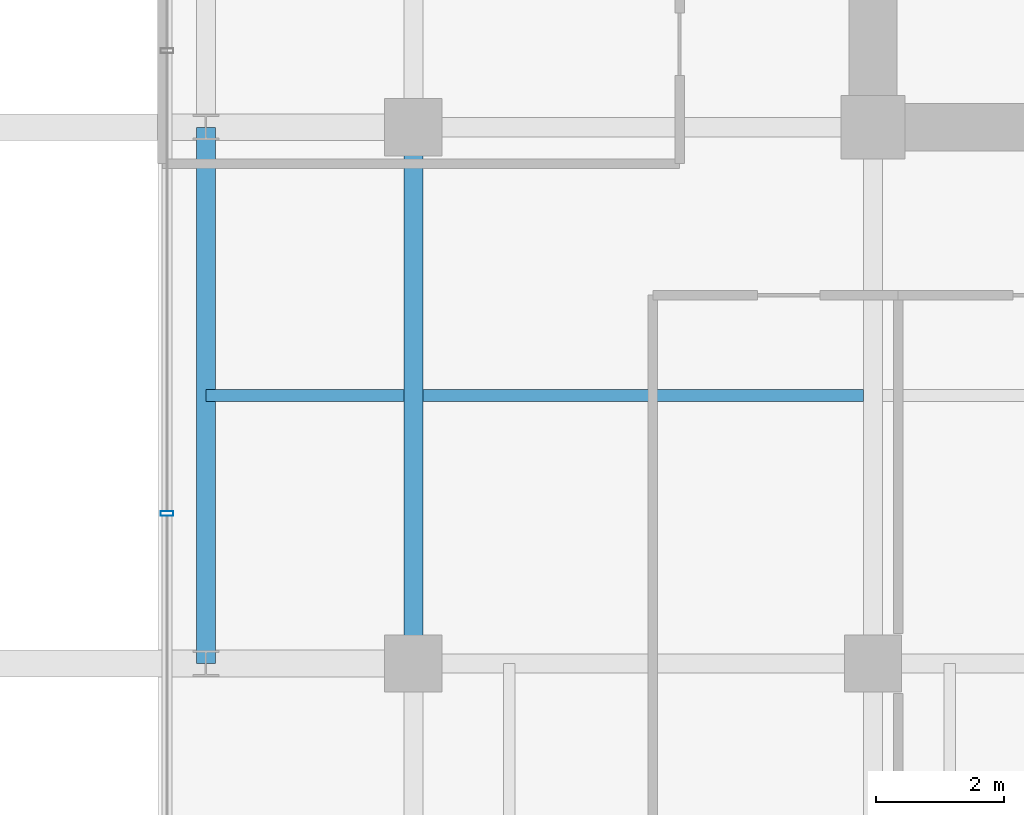
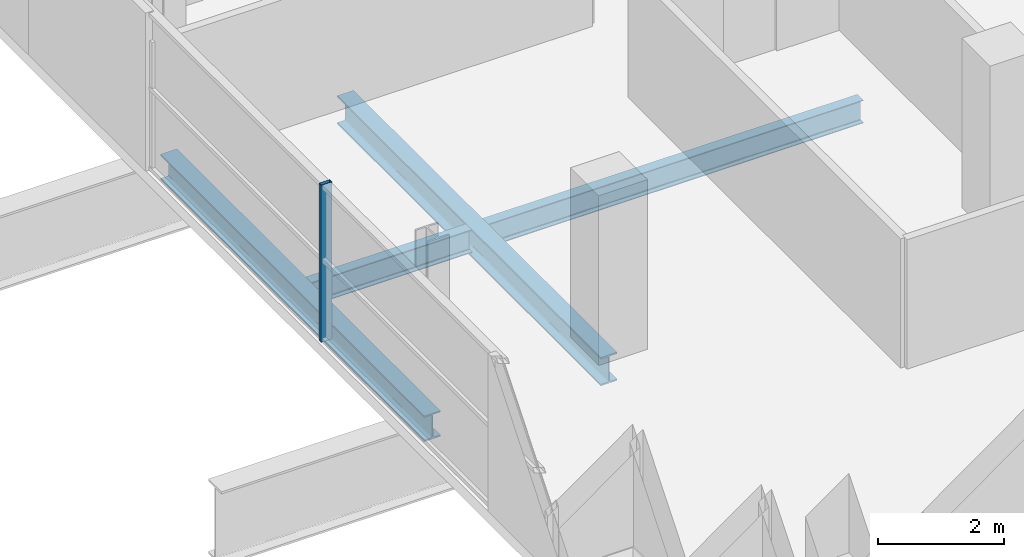
# One storey, part 4 of 27: 4 beams, 1 member, 1 element without a shape of its own.
"""IFC4 building model written with IfcOpenShell, lengths in metres."""

import ifcopenshell
import ifcopenshell.guid

model = None  # the IFC model being written
_history = None  # IfcOwnerHistory: only IFC2X3 demands one
_inside = {}  # id of a spatial element -> (the spatial element, [elements in it])
_under = {}  # id of a project, library or spatial element -> (it, [spatial elements below it])
_declared = {}  # id of a project -> (the project, [libraries it declares])
_typed = {}  # id of a type object -> (the type object, [elements of that type])
_made_of = {}  # id of a material, layer set ... -> (it, [elements and type objects made of it])


def new_model(schema):
    """Start an empty IFC model of exactly this schema.

    Asked for "IFC4X3", IfcOpenShell would pick the latest addendum, in which some entities
    have other attributes; the version numbers below select the first issue.
    IFC2X3 requires an IfcOwnerHistory on every rooted entity: one is made here for all.
    """
    global model, _history
    if schema == "IFC4X3":
        model = ifcopenshell.file(schema_version=(4, 3, 0, 0))
    else:
        model = ifcopenshell.file(schema=schema)
    _inside.clear()
    _under.clear()
    _declared.clear()
    _typed.clear()
    _made_of.clear()
    _history = None
    if model.schema == "IFC2X3":
        org = make("IfcOrganization", Name="unknown")
        user = make(
            "IfcPersonAndOrganization",
            ThePerson=make("IfcPerson", FamilyName="unknown"),
            TheOrganization=org,
        )
        app = make(
            "IfcApplication",
            ApplicationDeveloper=org,
            Version="unknown",
            ApplicationFullName="unknown",
            ApplicationIdentifier="unknown",
        )
        _history = make(
            "IfcOwnerHistory",
            OwningUser=user,
            OwningApplication=app,
            ChangeAction="ADDED",
            CreationDate=0,
        )
    return model


def make(cls, **values):
    """One entity of the class cls with the attributes given. An attribute that is None is left unset."""
    return model.create_entity(
        cls, **{name: value for name, value in values.items() if value is not None}
    )


def rooted(cls, **values):
    """An entity with a GlobalId (a new one), such as an element, a storey or a relation."""
    return make(cls, GlobalId=ifcopenshell.guid.new(), OwnerHistory=_history, **values)


def si_unit(unit_type, name, prefix=None):
    """IfcSIUnit, for example si_unit("LENGTHUNIT", "METRE", prefix="MILLI")."""
    return make("IfcSIUnit", UnitType=unit_type, Prefix=prefix, Name=name)


def assignment(units):
    """IfcUnitAssignment: the units of a project."""
    return None if units is None else make("IfcUnitAssignment", Units=units)


def point(xyz):
    """IfcCartesianPoint."""
    return None if xyz is None else make("IfcCartesianPoint", Coordinates=xyz)


def direction(xyz):
    """IfcDirection."""
    return None if xyz is None else make("IfcDirection", DirectionRatios=xyz)


def frame(location, z_axis=None, x_axis=None):
    """IfcAxis2Placement3D, a coordinate frame: its origin and axes. An axis left out is left unset."""
    return make(
        "IfcAxis2Placement3D",
        Location=point(location),
        Axis=direction(z_axis),
        RefDirection=direction(x_axis),
    )


def frame_2d(location, x_axis=None):
    """IfcAxis2Placement2D, a coordinate frame in the plane: its origin and x axis."""
    return make(
        "IfcAxis2Placement2D", Location=point(location), RefDirection=direction(x_axis)
    )


def origin():
    """The frame at (0, 0, 0) with its axes left unset."""
    return frame((0.0, 0.0, 0.0))


def origin_2d():
    """The frame at (0, 0) in the plane with its x axis left unset."""
    return frame_2d((0.0, 0.0))


def place(relative_to, where):
    """IfcLocalPlacement: puts the frame where relative to a parent placement (None: the world)."""
    return make(
        "IfcLocalPlacement", PlacementRelTo=relative_to, RelativePlacement=where
    )


def context(
    kind, dimensions, precision=None, world=None, true_north=None, identifier=None
):
    """IfcGeometricRepresentationContext, for example the 3D "Model" context."""
    return make(
        "IfcGeometricRepresentationContext",
        ContextIdentifier=identifier,
        ContextType=kind,
        CoordinateSpaceDimension=dimensions,
        Precision=precision,
        WorldCoordinateSystem=world,
        TrueNorth=true_north,
    )


def subcontext(parent, identifier, kind, view, scale=None):
    """IfcGeometricRepresentationSubContext, for example "Body" below "Model"."""
    return make(
        "IfcGeometricRepresentationSubContext",
        ContextIdentifier=identifier,
        ContextType=kind,
        ParentContext=parent,
        TargetScale=scale,
        TargetView=view,
    )


def project(units=None, contexts=None):
    """IfcProject with its units and contexts."""
    return rooted(
        "IfcProject",
        Name="project",
        RepresentationContexts=contexts,
        UnitsInContext=assignment(units),
    )


def spatial(cls, under=None, at=None, **own):
    """A site, building, storey or space (cls), placed at a placement, below another one or the project."""
    s = rooted(cls, ObjectPlacement=at, **own)
    if under is not None:
        _under.setdefault(under.id(), (under, []))[1].append(s)
    return s


def profile(cls, at=None, kind="AREA", **sizes):
    """A parametric profile (cls). Its sizes go by their IFC names, for example OverallWidth=200.0."""
    return make(cls, ProfileType=kind, Position=at, **sizes)


def hollow_rectangle(**sizes):
    """IfcRectangleHollowProfileDef."""
    return profile("IfcRectangleHollowProfileDef", **sizes)


def i_section(**sizes):
    """IfcIShapeProfileDef."""
    return profile("IfcIShapeProfileDef", **sizes)


def extrude(swept, where, along, depth):
    """IfcExtrudedAreaSolid: the profile swept, set in the frame where, extruded along a direction by depth."""
    return make(
        "IfcExtrudedAreaSolid",
        SweptArea=swept,
        Position=where,
        ExtrudedDirection=direction(along),
        Depth=depth,
    )


def shape(context_of_items, identifier, shape_type, items):
    """IfcShapeRepresentation: the items that make up one representation, for example the "Body"."""
    return make(
        "IfcShapeRepresentation",
        ContextOfItems=context_of_items,
        RepresentationIdentifier=identifier,
        RepresentationType=shape_type,
        Items=items,
    )


def source(mapping_origin, context_of_items, identifier, shape_type, items):
    """IfcRepresentationMap: a shape defined once, which mapped items show again and again."""
    return make(
        "IfcRepresentationMap",
        MappingOrigin=mapping_origin,
        MappedRepresentation=shape(context_of_items, identifier, shape_type, items),
    )


def transform(
    local_origin,
    x_axis=None,
    y_axis=None,
    z_axis=None,
    scale=None,
    scale2=None,
    scale3=None,
    uniform=True,
):
    """IfcCartesianTransformationOperator3D, or its non-uniform kind. x_axis, y_axis, z_axis: its Axis1, 2, 3."""
    if uniform:
        return make(
            "IfcCartesianTransformationOperator3D",
            Axis1=direction(x_axis),
            Axis2=direction(y_axis),
            LocalOrigin=point(local_origin),
            Scale=scale,
            Axis3=direction(z_axis),
        )
    return make(
        "IfcCartesianTransformationOperator3DnonUniform",
        Axis1=direction(x_axis),
        Axis2=direction(y_axis),
        LocalOrigin=point(local_origin),
        Scale=scale,
        Axis3=direction(z_axis),
        Scale2=scale2,
        Scale3=scale3,
    )


def mapped(mapping_source, mapping_target):
    """IfcMappedItem: shows the shape of a source again, moved by a transform."""
    return make(
        "IfcMappedItem", MappingSource=mapping_source, MappingTarget=mapping_target
    )


def material(Name=None, Category=None):
    """IfcMaterial."""
    return make("IfcMaterial", Name=Name, Category=Category)


def layer(
    of_material, thickness, ventilated=None, Name=None, Category=None, Priority=None
):
    """IfcMaterialLayer: one layer of a wall or slab, of a material (None: an air gap)."""
    return make(
        "IfcMaterialLayer",
        Material=of_material,
        LayerThickness=thickness,
        IsVentilated=ventilated,
        Name=Name,
        Category=Category,
        Priority=Priority,
    )


def layer_set(layers, Name=None):
    """IfcMaterialLayerSet."""
    return make("IfcMaterialLayerSet", MaterialLayers=layers, LayerSetName=Name)


def material_profile(
    of_material, cross_section, Name=None, Category=None, Priority=None
):
    """IfcMaterialProfile: a cross section and its material."""
    return make(
        "IfcMaterialProfile",
        Name=Name,
        Material=of_material,
        Profile=cross_section,
        Priority=Priority,
        Category=Category,
    )


def profile_set(profiles, Name=None, composite=None):
    """IfcMaterialProfileSet."""
    return make(
        "IfcMaterialProfileSet",
        Name=Name,
        MaterialProfiles=profiles,
        CompositeProfile=composite,
    )


def made_of(thing, what):
    """Note that an element or type object is made of a material, layer set ...; save() writes the relation."""
    if what is not None:
        _made_of.setdefault(what.id(), (what, []))[1].append(thing)
    return thing


def type_object(cls, material=None, **own):
    """A type object (cls), such as IfcWallType, which elements share."""
    return made_of(rooted(cls, **own), material)


def element(
    cls,
    number,
    at=None,
    inside=None,
    cuts=None,
    type_object=None,
    material=None,
    context=None,
    identifier="Body",
    shape_type=None,
    held_by="IfcProductDefinitionShape",
    body=None,
    shapes=None,
    **own,
):
    """One element of the class cls, such as IfcWall. Its Tag is "e" and its number.

    at: its placement. inside: the storey or other place that contains it. cuts: it is an
    opening in that element (IfcRelVoidsElement). A single representation is given by context,
    identifier, shape_type and body (its items); several are given by shapes. held_by: the class
    of the entity that holds the representations. save() writes the other relations.
    """
    e = rooted(cls, Tag="e%d" % number, ObjectPlacement=at, **own)
    if body is not None:
        shapes = [shape(context, identifier, shape_type, body)]
    if shapes is not None:
        e.Representation = make(held_by, Representations=shapes)
    if inside is not None:
        _inside.setdefault(inside.id(), (inside, []))[1].append(e)
    if cuts is not None:
        rooted(
            "IfcRelVoidsElement", RelatingBuildingElement=cuts, RelatedOpeningElement=e
        )
    if type_object is not None:
        _typed.setdefault(type_object.id(), (type_object, []))[1].append(e)
    return made_of(e, material)


def aggregate(whole, parts):
    """IfcRelAggregates: a whole, such as a stair, and the parts it consists of."""
    return rooted("IfcRelAggregates", RelatingObject=whole, RelatedObjects=parts)


def save(model, path):
    """Write the relations noted so far, then the file.

    IfcRelAggregates (storeys below a building ...), IfcRelContainedInSpatialStructure (elements
    in a storey), IfcRelDefinesByType, IfcRelAssociatesMaterial and IfcRelDeclares: one each for
    every whole, place, type object, material and project.
    """
    for whole, parts in _under.values():
        aggregate(whole, parts)
    for where, things in _inside.values():
        rooted(
            "IfcRelContainedInSpatialStructure",
            RelatedElements=things,
            RelatingStructure=where,
        )
    for kind, things in _typed.values():
        rooted("IfcRelDefinesByType", RelatedObjects=things, RelatingType=kind)
    for what, things in _made_of.values():
        rooted("IfcRelAssociatesMaterial", RelatedObjects=things, RelatingMaterial=what)
    for by, libraries in _declared.values():
        rooted("IfcRelDeclares", RelatingContext=by, RelatedDefinitions=libraries)
    model.write(path)


model = new_model("IFC4")

# Units and contexts
model_context = context("Model", 3, precision=1e-05, world=origin(), true_north=direction((0.0, 1.0)))
body_context = subcontext(model_context, "Body", "Model", "MODEL_VIEW")
ifc_project = project(units=[si_unit("LENGTHUNIT", "METRE"), si_unit("AREAUNIT", "SQUARE_METRE"), si_unit("VOLUMEUNIT", "CUBIC_METRE"), si_unit("PLANEANGLEUNIT", "RADIAN"), si_unit("MASSUNIT", "GRAM", prefix="KILO")], contexts=[model_context])

# Site, building, storey
site_placement = place(None, origin())
site = spatial("IfcSite", under=ifc_project, at=site_placement, CompositionType="ELEMENT")
building_placement = place(site_placement, origin())
building = spatial("IfcBuilding", under=site, at=building_placement, Name="Zarnakvel Exchange Tower", CompositionType="ELEMENT")
storey_placement = place(building_placement, frame((0.0, 0.0, 113.199951171875)))
storey = spatial("IfcBuildingStorey", under=building, at=storey_placement, Name="L31", CompositionType="ELEMENT", Elevation=113.199951171875)

# Beams
ifc_material_1 = material(Name="Steel S355", Category="steel")
ifc_material_profile_1 = material_profile(ifc_material_1, i_section(OverallWidth=0.18994140625, OverallDepth=0.449951171875, WebThickness=0.009521484375, FlangeThickness=0.0146484375, FilletRadius=0.02099609375, at=origin_2d()))
ifc_profile_set_1 = profile_set([ifc_material_profile_1], Name="Steel S355")
beam_type_1 = type_object("IfcBeamType", Name="B-05", PredefinedType="JOIST", material=ifc_profile_set_1)
beam_1_placement = place(storey_placement, frame((-24.85009765625, -5.39990234375, -0.449951171875), z_axis=(1.0, 0.0, 0.0), x_axis=(0.0, 1.0, 0.0)))
element("IfcBeam", 1, at=beam_1_placement, inside=storey, type_object=beam_type_1, Name="L31 Composite Floor Secondary Joist", PredefinedType="JOIST", context=body_context, shape_type="SweptSolid", body=[
    extrude(i_section(OverallWidth=0.18994140625, OverallDepth=0.449951171875, WebThickness=0.009521484375, FlangeThickness=0.0146484375, FilletRadius=0.02099609375, at=origin_2d()), origin(), (0.0, 0.0, 1.0), 3.10009765625),
])
beam_2_placement = place(storey_placement, frame((-21.449951171875, -5.39990234375, -0.449951171875), z_axis=(1.0, 0.0, 0.0), x_axis=(0.0, 1.0, 0.0)))
element("IfcBeam", 2, at=beam_2_placement, inside=storey, type_object=beam_type_1, Name="L31 Composite Floor Secondary Joist", PredefinedType="JOIST", context=body_context, shape_type="SweptSolid", body=[
    extrude(i_section(OverallWidth=0.18994140625, OverallDepth=0.449951171875, WebThickness=0.009521484375, FlangeThickness=0.0146484375, FilletRadius=0.02099609375, at=origin_2d()), origin(), (0.0, 0.0, 1.0), 6.89990234375),
])
ifc_material_profile_2 = material_profile(ifc_material_1, i_section(OverallWidth=0.300048828125, OverallDepth=0.550048828125, WebThickness=0.014892578125, FlangeThickness=0.029052734375, FilletRadius=0.027099609375, at=origin_2d()))
ifc_profile_set_2 = profile_set([ifc_material_profile_2], Name="Steel S355")
beam_type_2 = type_object("IfcBeamType", Name="G-05", PredefinedType="BEAM", material=ifc_profile_set_2)
beam_3_placement = place(storey_placement, frame((-21.60009765625, -9.60009765625, -0.5), z_axis=(0.0, 1.0, 0.0), x_axis=(-1.0, 0.0, 0.0)))
element("IfcBeam", 3, at=beam_3_placement, inside=storey, type_object=beam_type_2, Name="L31 Tower N-S Frame Beam", PredefinedType="BEAM", context=body_context, shape_type="SweptSolid", body=[
    extrude(i_section(OverallWidth=0.300048828125, OverallDepth=0.550048828125, WebThickness=0.014892578125, FlangeThickness=0.029052734375, FilletRadius=0.027099609375, at=origin_2d()), origin(), (0.0, 0.0, 1.0), 8.400146484375),
])
ifc_material_profile_3 = material_profile(ifc_material_1, i_section(OverallWidth=0.300048828125, OverallDepth=0.5, WebThickness=0.014404296875, FlangeThickness=0.028076171875, FilletRadius=0.027099609375, at=origin_2d()))
ifc_profile_set_3 = profile_set([ifc_material_profile_3], Name="Steel S355")
beam_type_3 = type_object("IfcBeamType", Name="SP-02", PredefinedType="SPANDREL", material=ifc_profile_set_3)
beam_4_placement = place(storey_placement, frame((-24.85009765625, -9.60009765625, -0.474853515625), z_axis=(0.0, 1.0, 0.0), x_axis=(-1.0, 0.0, 0.0)))
element("IfcBeam", 4, at=beam_4_placement, inside=storey, type_object=beam_type_3, Name="L31 Tower N-S Frame Beam", PredefinedType="SPANDREL", context=body_context, shape_type="SweptSolid", body=[
    extrude(i_section(OverallWidth=0.300048828125, OverallDepth=0.5, WebThickness=0.014404296875, FlangeThickness=0.028076171875, FilletRadius=0.027099609375, at=origin_2d()), origin(), (0.0, 0.0, 1.0), 8.400146484375),
])

# Curtain wall, member
ifc_material_2 = material(Name="Architectural Bronze Anodised Aluminium", Category="aluminium")
ifc_layer = layer(ifc_material_2, 0.199951171875)
ifc_layer_set = layer_set([ifc_layer], Name="Architectural Bronze Anodised Aluminium")
curtain_wall_type = type_object("IfcCurtainWallType", Name="CW-04", PredefinedType="NOTDEFINED", material=ifc_layer_set)
curtain_wall_placement = place(storey_placement, origin())
curtain_wall = element("IfcCurtainWall", 5, at=curtain_wall_placement, inside=storey, type_object=curtain_wall_type, Name="L31 Curtain Wall CW-L31-W1 (CW-04)", PredefinedType="NOTDEFINED")
ifc_material_profile_4 = material_profile(ifc_material_2, hollow_rectangle(XDim=0.199951171875, YDim=0.074951171875, WallThickness=0.0048828125, at=origin_2d()))
ifc_profile_set_4 = profile_set([ifc_material_profile_4], Name="Architectural Bronze Anodised Aluminium")
member_type = type_object("IfcMemberType", Name="CWM-04", PredefinedType="MULLION", material=ifc_profile_set_4)
shared_shape = source(origin(), body_context, "Body", "SweptSolid", [
    extrude(hollow_rectangle(XDim=0.199951171875, YDim=0.074951171875, WallThickness=0.0048828125, at=origin_2d()), origin(), (0.0, 0.0, 1.0), 3.054931640625),
])
member_placement = place(storey_placement, frame((-25.4599609375, -7.25, 0.0), z_axis=(0.0, 0.0, 1.0), x_axis=(-1.0, 0.0, 0.0)))
member = element("IfcMember", 6, at=member_placement, type_object=member_type, Name="CW-04 mullion 2", PredefinedType="MULLION", context=body_context, shape_type="MappedRepresentation", body=[
    mapped(shared_shape, transform((0.0, 0.0, 0.0), x_axis=(1.0, 0.0, 0.0), y_axis=(0.0, 1.0, 0.0), z_axis=(0.0, 0.0, 1.0), scale=1.0)),
])
aggregate(curtain_wall, [member])

save(model, "model.ifc")
